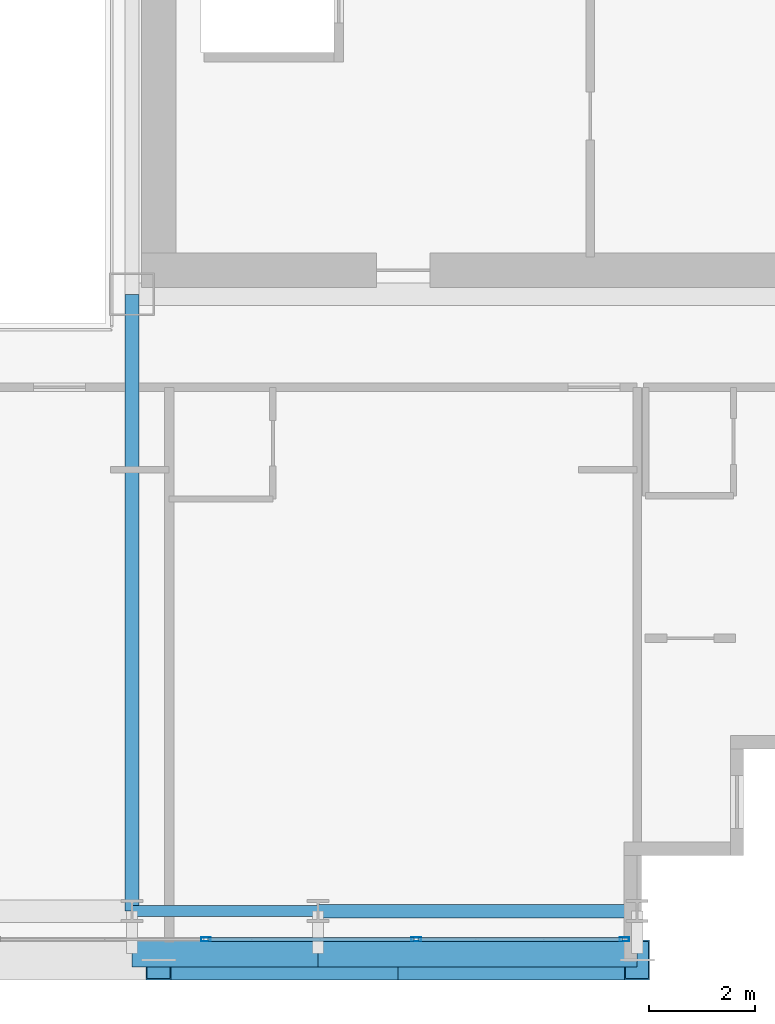
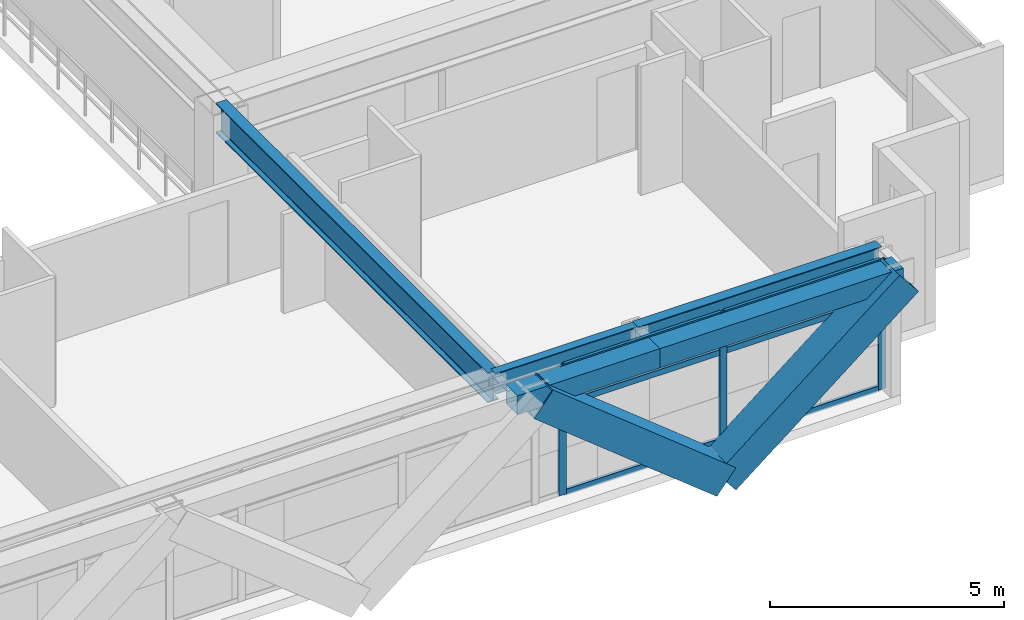
# One storey, part 10 of 35: 11 members, 5 beams, 1 element without a shape of its own.
"""IFC4 building model written with IfcOpenShell, lengths in metres."""

from ifc_helpers import new_model, si_unit, direction, frame, origin, origin_2d, place, context, subcontext, project, spatial, hollow_rectangle, i_section, extrude, source, transform, mapped, material, layer, layer_set, material_profile, profile_set, type_object, element, aggregate, save


model = new_model("IFC4")

# Units and contexts
model_context = context("Model", 3, precision=1e-05, world=origin(), true_north=direction((0.0, 1.0)))
body_context = subcontext(model_context, "Body", "Model", "MODEL_VIEW")
ifc_project = project(units=[si_unit("LENGTHUNIT", "METRE"), si_unit("AREAUNIT", "SQUARE_METRE"), si_unit("VOLUMEUNIT", "CUBIC_METRE"), si_unit("PLANEANGLEUNIT", "RADIAN"), si_unit("MASSUNIT", "GRAM", prefix="KILO")], contexts=[model_context])

# Site, building, storey
site_placement = place(None, origin())
site = spatial("IfcSite", under=ifc_project, at=site_placement, CompositionType="ELEMENT")
building_placement = place(site_placement, origin())
building = spatial("IfcBuilding", under=site, at=building_placement, Name="Ocotamira Hotel", CompositionType="ELEMENT")
storey_placement = place(building_placement, frame((0.0, 0.0, 115.199951171875)))
storey = spatial("IfcBuildingStorey", under=building, at=storey_placement, Name="L28", CompositionType="ELEMENT", Elevation=115.199951171875)

# Beams
ifc_material_1 = material(Name="Steel ASTM A992 Grade 50", Category="steel")
ifc_material_profile_1 = material_profile(ifc_material_1, i_section(OverallWidth=0.256103515625, OverallDepth=0.693115234375, WebThickness=0.014404296875, FlangeThickness=0.023681640625, FilletRadius=0.01611328125, at=origin_2d()), Name="W27X114")
ifc_profile_set_1 = profile_set([ifc_material_profile_1], Name="Steel ASTM A992 Grade 50")
beam_type_1 = type_object("IfcBeamType", Name="BM-PRIM-W27X114", PredefinedType="BEAM", material=ifc_profile_set_1)
shared_shape_1 = source(origin(), body_context, "Body", "SweptSolid", [
    extrude(i_section(OverallWidth=0.256103515625, OverallDepth=0.693115234375, WebThickness=0.014404296875, FlangeThickness=0.023681640625, FilletRadius=0.01611328125, at=origin_2d()), origin(), (0.0, 0.0, 1.0), 6.0),
])
beam_1_placement = place(storey_placement, frame((44.0, 2.949951171875, 3.013427734375), z_axis=(1.0, 0.0, 0.0), x_axis=(0.0, 1.0, 0.0)))
element("IfcBeam", 1, at=beam_1_placement, inside=storey, type_object=beam_type_1, Name="L28 Girder Y2.95 X44-50", PredefinedType="BEAM", context=body_context, shape_type="MappedRepresentation", body=[
    mapped(shared_shape_1, transform((0.0, 0.0, 0.0), scale=1.0)),
])
ifc_material_profile_2 = material_profile(ifc_material_1, i_section(OverallWidth=0.2099609375, OverallDepth=0.537109375, WebThickness=0.010986328125, FlangeThickness=0.017333984375, FilletRadius=0.012939453125, at=origin_2d()), Name="W21X68")
ifc_profile_set_2 = profile_set([ifc_material_profile_2], Name="Steel ASTM A992 Grade 50")
beam_type_2 = type_object("IfcBeamType", Name="BM-SEC-W21X68", PredefinedType="JOIST", material=ifc_profile_set_2)
shared_shape_2 = source(origin(), body_context, "Body", "SweptSolid", [
    extrude(i_section(OverallWidth=0.2099609375, OverallDepth=0.537109375, WebThickness=0.010986328125, FlangeThickness=0.017333984375, FilletRadius=0.012939453125, at=origin_2d()), origin(), (0.0, 0.0, 1.0), 3.5),
])
beam_2_placement = place(storey_placement, frame((40.5, 2.949951171875, 3.091552734375), z_axis=(1.0, 0.0, 0.0), x_axis=(0.0, 1.0, 0.0)))
element("IfcBeam", 2, at=beam_2_placement, inside=storey, type_object=beam_type_2, Name="L28 Girder Y2.95 X40.5-44", PredefinedType="JOIST", context=body_context, shape_type="MappedRepresentation", body=[
    mapped(shared_shape_2, transform((0.0, 0.0, 0.0), scale=1.0)),
])
ifc_material_profile_3 = material_profile(ifc_material_1, i_section(OverallWidth=0.26611328125, OverallDepth=0.779052734375, WebThickness=0.0166015625, FlangeThickness=0.030029296875, FilletRadius=0.01806640625, at=origin_2d()), Name="W30X148")
ifc_profile_set_3 = profile_set([ifc_material_profile_3], Name="Steel ASTM A992 Grade 50")
beam_type_3 = type_object("IfcBeamType", Name="BM-GIRD-W30X148", PredefinedType="BEAM", material=ifc_profile_set_3)
shared_shape_3 = source(origin(), body_context, "Body", "SweptSolid", [
    extrude(i_section(OverallWidth=0.26611328125, OverallDepth=0.779052734375, WebThickness=0.0166015625, FlangeThickness=0.030029296875, FilletRadius=0.01806640625, at=origin_2d()), origin(), (0.0, 0.0, 1.0), 11.60009765625),
])
beam_3_placement = place(storey_placement, frame((40.5, 2.949951171875, 2.970458984375), z_axis=(0.0, 1.0, 0.0), x_axis=(-1.0, 0.0, 0.0)))
element("IfcBeam", 3, at=beam_3_placement, inside=storey, type_object=beam_type_3, Name="L28 Beam X40.5 Y2.95-14.55", PredefinedType="BEAM", context=body_context, shape_type="MappedRepresentation", body=[
    mapped(shared_shape_3, transform((0.0, 0.0, 0.0), scale=1.0)),
])
ifc_material_2 = material(Name="Steel ASTM A500 Grade C", Category="steel")
ifc_material_profile_4 = material_profile(ifc_material_2, hollow_rectangle(XDim=0.5, YDim=0.5, WallThickness=0.02001953125, at=origin_2d()), Name="HSS500X500X20")
ifc_profile_set_4 = profile_set([ifc_material_profile_4], Name="Steel ASTM A500 Grade C")
beam_type_4 = type_object("IfcBeamType", Name="BM-SPAN-HSS500", PredefinedType="USERDEFINED", material=ifc_profile_set_4)
shared_shape_4 = source(origin(), body_context, "Body", "SweptSolid", [
    extrude(hollow_rectangle(XDim=0.5, YDim=0.5, WallThickness=0.02001953125, at=origin_2d()), origin(), (0.0, 0.0, 1.0), 6.0),
])
beam_4_placement = place(storey_placement, frame((44.0, 2.14990234375, 3.110107421875), z_axis=(1.0, 0.0, 0.0), x_axis=(0.0, 1.0, 0.0)))
element("IfcBeam", 4, at=beam_4_placement, inside=storey, type_object=beam_type_4, Name="L28 Edge Spandrel S X44-50", ObjectType="SPANDREL", PredefinedType="USERDEFINED", context=body_context, shape_type="MappedRepresentation", body=[
    mapped(shared_shape_4, transform((0.0, 0.0, 0.0), scale=1.0)),
])
shared_shape_5 = source(origin(), body_context, "Body", "SweptSolid", [
    extrude(hollow_rectangle(XDim=0.5, YDim=0.5, WallThickness=0.02001953125, at=origin_2d()), origin(), (0.0, 0.0, 1.0), 3.5),
])
beam_5_placement = place(storey_placement, frame((40.5, 2.14990234375, 3.110107421875), z_axis=(1.0, 0.0, 0.0), x_axis=(0.0, 1.0, 0.0)))
element("IfcBeam", 5, at=beam_5_placement, inside=storey, type_object=beam_type_4, Name="L28 Edge Spandrel S X40.5-44", ObjectType="SPANDREL", PredefinedType="USERDEFINED", context=body_context, shape_type="MappedRepresentation", body=[
    mapped(shared_shape_5, transform((0.0, 0.0, 0.0), scale=1.0)),
])

# Members
ifc_material_3 = material(Name="Pale-metal coated steel ASTM A913 Grade 65", Category="steel")
ifc_material_profile_5 = material_profile(ifc_material_3, hollow_rectangle(XDim=0.75, YDim=0.75, WallThickness=0.028076171875, at=origin_2d()), Name="BOX750X750X28")
ifc_profile_set_5 = profile_set([ifc_material_profile_5], Name="Pale-metal coated steel ASTM A913 Grade 65")
member_type_1 = type_object("IfcMemberType", Name="MEM-EXO-BOX750", PredefinedType="BRACE", material=ifc_profile_set_5)
shared_shape_6 = source(origin(), body_context, "Body", "SweptSolid", [
    extrude(hollow_rectangle(XDim=0.75, YDim=0.75, WallThickness=0.028076171875, at=origin_2d()), origin(), (0.0, 0.0, 1.0), 5.762939453125),
])
for number, where, z_axis, x_axis, name in (
    (6, (45.5, 2.030029296875, -0.489990234375), (-0.780860543151, 0.0, 0.624705380279), (0.0, -1.0, 0.0), "L28 Exoskeleton Diagrid S3.1"),
    (7, (45.5, 2.030029296875, -0.489990234375), (0.780860543151, 0.0, 0.624705380279), (0.0, 1.0, 0.0), "L28 Exoskeleton Diagrid S3.2"),
):
    element("IfcMember", number, at=place(storey_placement, frame(where, z_axis=z_axis, x_axis=x_axis)), inside=storey, type_object=member_type_1, Name=name, PredefinedType="BRACE", context=body_context, shape_type="MappedRepresentation", body=[
        mapped(shared_shape_6, transform((0.0, 0.0, 0.0), scale=1.0)),
    ])

# Curtain wall, members
ifc_material_4 = material(Name="Anodised pale-metal aluminium and solar glass", Category="aluminium")
ifc_layer = layer(ifc_material_4, 0.179931640625)
ifc_layer_set = layer_set([ifc_layer], Name="Anodised pale-metal aluminium and solar glass")
curtain_wall_type = type_object("IfcCurtainWallType", Name="CW-SYS3-Z2", PredefinedType="NOTDEFINED", material=ifc_layer_set)
curtain_wall_placement = place(storey_placement, origin())
curtain_wall = element("IfcCurtainWall", 8, at=curtain_wall_placement, inside=storey, type_object=curtain_wall_type, Name="L28 Curtain Wall CW-3 CW-L28-S1", PredefinedType="NOTDEFINED")
ifc_material_5 = material(Name="Anodised pale-metal aluminium 6063-T6", Category="aluminium")
ifc_material_profile_6 = material_profile(ifc_material_5, hollow_rectangle(XDim=0.074951171875, YDim=0.14990234375, WallThickness=0.006103515625, at=origin_2d()), Name="HSS150X75X6")
ifc_profile_set_6 = profile_set([ifc_material_profile_6], Name="Anodised pale-metal aluminium 6063-T6")
member_type_2 = type_object("IfcMemberType", Name="CWT-150X75", PredefinedType="USERDEFINED", material=ifc_profile_set_6)
shared_shape_7 = source(origin(), body_context, "Body", "SweptSolid", [
    extrude(hollow_rectangle(XDim=0.074951171875, YDim=0.14990234375, WallThickness=0.006103515625, at=origin_2d()), origin(), (0.0, 0.0, 1.0), 3.83544921875),
])
member_1_placement = place(storey_placement, frame((45.884521484375, 2.419921875, 0.03759765625), z_axis=(1.0, 0.0, 0.0), x_axis=(0.0, 1.0, 0.0)))
member_1 = element("IfcMember", 9, at=member_1_placement, type_object=member_type_2, Name="CW-3 transom 9.1", ObjectType="TRANSOM", PredefinedType="USERDEFINED", context=body_context, shape_type="MappedRepresentation", body=[
    mapped(shared_shape_7, transform((0.0, 0.0, 0.0), scale=1.0)),
])
member_2_placement = place(storey_placement, frame((45.884521484375, 2.419921875, 2.35009765625), z_axis=(1.0, 0.0, 0.0), x_axis=(0.0, 1.0, 0.0)))
member_2 = element("IfcMember", 10, at=member_2_placement, type_object=member_type_2, Name="CW-3 transom 9.2", ObjectType="TRANSOM", PredefinedType="USERDEFINED", context=body_context, shape_type="MappedRepresentation", body=[
    mapped(shared_shape_7, transform((0.0, 0.0, 0.0), scale=1.0)),
])
member_3_placement = place(storey_placement, frame((45.884521484375, 2.419921875, 3.322509765625), z_axis=(1.0, 0.0, 0.0), x_axis=(0.0, 1.0, 0.0)))
member_3 = element("IfcMember", 11, at=member_3_placement, type_object=member_type_2, Name="CW-3 transom 9.3", ObjectType="TRANSOM", PredefinedType="USERDEFINED", context=body_context, shape_type="MappedRepresentation", body=[
    mapped(shared_shape_7, transform((0.0, 0.0, 0.0), scale=1.0)),
])
shared_shape_8 = source(origin(), body_context, "Body", "SweptSolid", [
    extrude(hollow_rectangle(XDim=0.074951171875, YDim=0.14990234375, WallThickness=0.006103515625, at=origin_2d()), origin(), (0.0, 0.0, 1.0), 3.87548828125),
])
member_4_placement = place(storey_placement, frame((41.928955078125, 2.419921875, 0.03759765625), z_axis=(1.0, 0.0, 0.0), x_axis=(0.0, 1.0, 0.0)))
member_4 = element("IfcMember", 12, at=member_4_placement, type_object=member_type_2, Name="CW-3 transom 8.1", ObjectType="TRANSOM", PredefinedType="USERDEFINED", context=body_context, shape_type="MappedRepresentation", body=[
    mapped(shared_shape_8, transform((0.0, 0.0, 0.0), scale=1.0)),
])
member_5_placement = place(storey_placement, frame((41.928955078125, 2.419921875, 2.35009765625), z_axis=(1.0, 0.0, 0.0), x_axis=(0.0, 1.0, 0.0)))
member_5 = element("IfcMember", 13, at=member_5_placement, type_object=member_type_2, Name="CW-3 transom 8.2", ObjectType="TRANSOM", PredefinedType="USERDEFINED", context=body_context, shape_type="MappedRepresentation", body=[
    mapped(shared_shape_8, transform((0.0, 0.0, 0.0), scale=1.0)),
])
member_6_placement = place(storey_placement, frame((41.928955078125, 2.419921875, 3.322509765625), z_axis=(1.0, 0.0, 0.0), x_axis=(0.0, 1.0, 0.0)))
member_6 = element("IfcMember", 14, at=member_6_placement, type_object=member_type_2, Name="CW-3 transom 8.3", ObjectType="TRANSOM", PredefinedType="USERDEFINED", context=body_context, shape_type="MappedRepresentation", body=[
    mapped(shared_shape_8, transform((0.0, 0.0, 0.0), scale=1.0)),
])
ifc_material_profile_7 = material_profile(ifc_material_5, hollow_rectangle(XDim=0.080078125, YDim=0.179931640625, WallThickness=0.006103515625, at=origin_2d()), Name="HSS180X80X6")
ifc_profile_set_7 = profile_set([ifc_material_profile_7], Name="Anodised pale-metal aluminium 6063-T6")
member_type_3 = type_object("IfcMemberType", Name="CWM-180X75", PredefinedType="MULLION", material=ifc_profile_set_7)
shared_shape_9 = source(origin(), body_context, "Body", "SweptSolid", [
    extrude(hollow_rectangle(XDim=0.080078125, YDim=0.179931640625, WallThickness=0.006103515625, at=origin_2d()), origin(), (0.0, 0.0, 1.0), 3.360107421875),
])
member_7_placement = place(storey_placement, frame((41.888916015625, 2.419921875, 0.0), z_axis=(0.0, 0.0, 1.0), x_axis=(0.0, 1.0, 0.0)))
member_7 = element("IfcMember", 15, at=member_7_placement, type_object=member_type_3, Name="CW-3 mullion 8", PredefinedType="MULLION", context=body_context, shape_type="MappedRepresentation", body=[
    mapped(shared_shape_9, transform((0.0, 0.0, 0.0), scale=1.0)),
])
member_8_placement = place(storey_placement, frame((45.844482421875, 2.419921875, 0.0), z_axis=(0.0, 0.0, 1.0), x_axis=(0.0, 1.0, 0.0)))
member_8 = element("IfcMember", 16, at=member_8_placement, type_object=member_type_3, Name="CW-3 mullion 9", PredefinedType="MULLION", context=body_context, shape_type="MappedRepresentation", body=[
    mapped(shared_shape_9, transform((0.0, 0.0, 0.0), scale=1.0)),
])
member_9_placement = place(storey_placement, frame((49.760009765625, 2.419921875, 0.0), z_axis=(0.0, 0.0, 1.0), x_axis=(0.0, 1.0, 0.0)))
member_9 = element("IfcMember", 17, at=member_9_placement, type_object=member_type_3, Name="CW-3 mullion 10", PredefinedType="MULLION", context=body_context, shape_type="MappedRepresentation", body=[
    mapped(shared_shape_9, transform((0.0, 0.0, 0.0), scale=1.0)),
])
aggregate(curtain_wall, [member_7, member_8, member_9, member_4, member_5, member_6, member_1, member_2, member_3])

save(model, "model.ifc")
